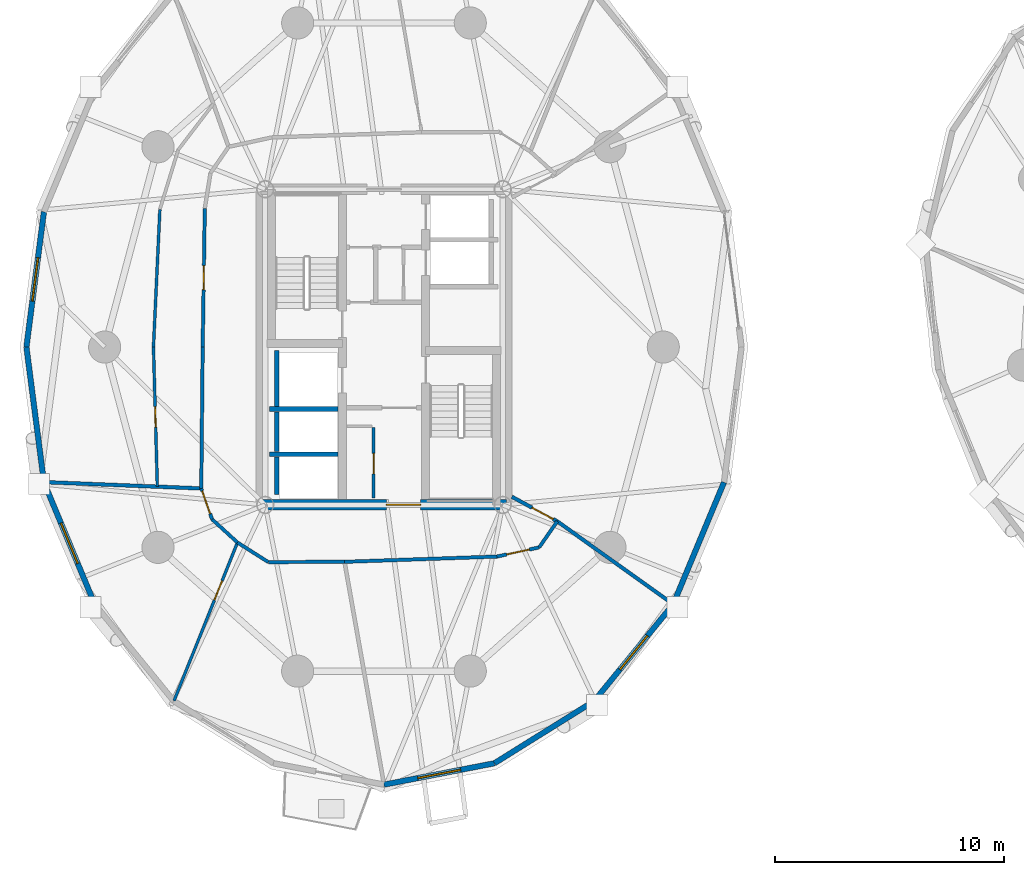
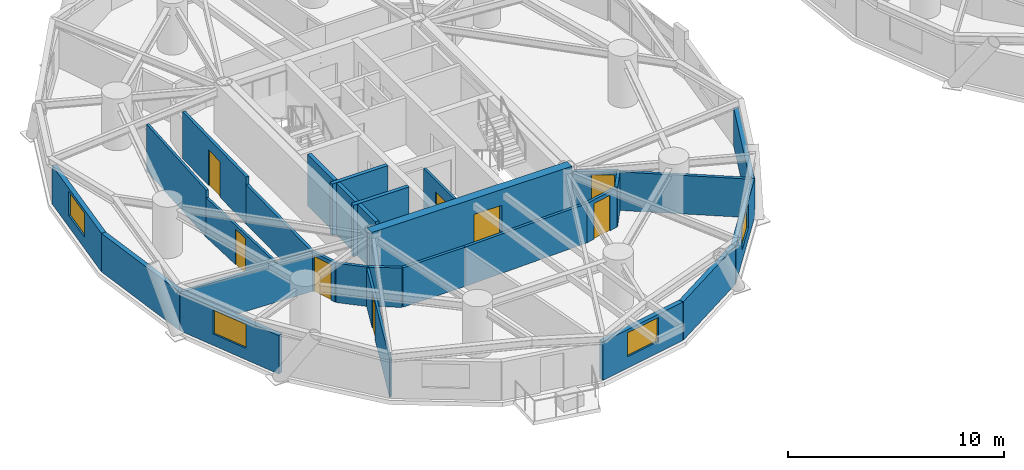
# One storey, part 10 of 18: 29 walls, 8 doors, 4 windows, 12 openings.
"""IFC4 building model written with IfcOpenShell, lengths in metres."""

from ifc_helpers import new_model, si_unit, direction, frame, frame_2d, origin, place, context, subcontext, project, spatial, rectangle, extrude, source, transform, mapped, material, layer, layer_set, type_object, element, fill, save


model = new_model("IFC4")

# Units and contexts
model_context = context("Model", 3, precision=1e-05, world=origin(), true_north=direction((0.0, 1.0)))
body_context = subcontext(model_context, "Body", "Model", "MODEL_VIEW")
ifc_project = project(units=[si_unit("LENGTHUNIT", "METRE"), si_unit("AREAUNIT", "SQUARE_METRE"), si_unit("VOLUMEUNIT", "CUBIC_METRE"), si_unit("PLANEANGLEUNIT", "RADIAN"), si_unit("MASSUNIT", "GRAM", prefix="KILO")], contexts=[model_context])

# Site, building, storey
site_placement = place(None, origin())
site = spatial("IfcSite", under=ifc_project, at=site_placement, CompositionType="ELEMENT")
building_placement = place(site_placement, origin())
building = spatial("IfcBuilding", under=site, at=building_placement, Name="Cununo Teusaquillo Station Towers", CompositionType="ELEMENT")
storey_placement = place(building_placement, frame((0.0, 0.0, 119.6201171875)))
storey = spatial("IfcBuildingStorey", under=building, at=storey_placement, Name="L38", CompositionType="ELEMENT", Elevation=119.6201171875)

# Walls
ifc_material_1 = material(Name="Concrete C50/60", Category="concrete")
ifc_layer_1 = layer(ifc_material_1, 0.199951171875)
ifc_layer_set_1 = layer_set([ifc_layer_1], Name="Concrete C50/60")
wall_type_1 = type_object("IfcWallType", Name="WL-CORE-200", PredefinedType="SHEAR", material=ifc_layer_set_1)
wall_1_placement = place(storey_placement, frame((11.52001953125, 21.800048828125, 0.0), z_axis=(0.0, 0.0, 1.0), x_axis=(1.0, 0.0, 0.0)))
element("IfcWall", 1, at=wall_1_placement, inside=storey, type_object=wall_type_1, Name="L38 Tower A Firefighting Lift Shaft South Shear Wall", PredefinedType="SHEAR", context=body_context, shape_type="SweptSolid", body=[
    extrude(rectangle(XDim=2.969970703125, YDim=0.199951171875, at=frame_2d((1.48486328125, 0.0))), origin(), (0.0, 0.0, 1.0), 2.909912109375),
])
wall_2_placement = place(storey_placement, frame((11.820068359375, 21.919921875, 0.0), z_axis=(0.0, 0.0, 1.0), x_axis=(0.0, 1.0, 0.0)))
element("IfcWall", 2, at=wall_2_placement, inside=storey, type_object=wall_type_1, Name="L38 Tower A Firefighting Lift Shaft Rear Shear Wall", PredefinedType="SHEAR", context=body_context, shape_type="SweptSolid", body=[
    extrude(rectangle(XDim=2.440185546875, YDim=0.199951171875, at=frame_2d((1.22021484375, 0.0))), origin(), (0.0, 0.0, 1.0), 2.909912109375),
])
wall_3_placement = place(storey_placement, frame((11.52001953125, 19.824951171875, 0.0), z_axis=(0.0, 0.0, 1.0), x_axis=(1.0, 0.0, 0.0)))
element("IfcWall", 3, at=wall_3_placement, inside=storey, type_object=wall_type_1, Name="L38 Tower A High-Rise Lift Hoistway Divider Shear Wall", PredefinedType="SHEAR", context=body_context, shape_type="SweptSolid", body=[
    extrude(rectangle(XDim=2.969970703125, YDim=0.199951171875, at=frame_2d((1.48486328125, 0.0))), origin(), (0.0, 0.0, 1.0), 2.909912109375),
])
wall_4_placement = place(storey_placement, frame((11.820068359375, 19.945068359375, 0.0), z_axis=(0.0, 0.0, 1.0), x_axis=(0.0, 1.0, 0.0)))
element("IfcWall", 4, at=wall_4_placement, inside=storey, type_object=wall_type_1, Name="L38 Tower A High-Rise Lift 2 Shaft Rear Shear Wall", PredefinedType="SHEAR", context=body_context, shape_type="SweptSolid", body=[
    extrude(rectangle(XDim=1.73486328125, YDim=0.199951171875, at=frame_2d((0.867431640625, 0.0))), origin(), (0.0, 0.0, 1.0), 2.909912109375),
])
wall_5_placement = place(storey_placement, frame((11.820068359375, 18.070068359375, 0.0), z_axis=(0.0, 0.0, 1.0), x_axis=(0.0, 1.0, 0.0)))
element("IfcWall", 5, at=wall_5_placement, inside=storey, type_object=wall_type_1, Name="L38 Tower A High-Rise Lift 1 Shaft Rear Shear Wall", PredefinedType="SHEAR", context=body_context, shape_type="SweptSolid", body=[
    extrude(rectangle(XDim=1.635009765625, YDim=0.199951171875, at=frame_2d((0.8173828125, 0.0))), origin(), (0.0, 0.0, 1.0), 2.909912109375),
])

# Wall, opening, door
ifc_material_2 = material(Name="Concrete C60/75", Category="concrete")
ifc_layer_2 = layer(ifc_material_2, 0.449951171875)
ifc_layer_set_2 = layer_set([ifc_layer_2], Name="Concrete C60/75")
wall_type_2 = type_object("IfcWallType", Name="WL-CORE-450", PredefinedType="SHEAR", material=ifc_layer_set_2)
wall_6_placement = place(storey_placement, frame((11.14990234375, 17.625, 0.0), z_axis=(0.0, 0.0, 1.0), x_axis=(1.0, 0.0, 0.0)))
wall_6 = element("IfcWall", 6, at=wall_6_placement, inside=storey, type_object=wall_type_2, Name="L38 Tower A Core Shear Wall S", PredefinedType="SHEAR", context=body_context, shape_type="SweptSolid", body=[
    extrude(rectangle(XDim=10.7001953125, YDim=0.449951171875, at=frame_2d((5.35009765625, 0.0))), origin(), (0.0, 0.0, 1.0), 2.909912109375),
])
shared_shape_1 = source(origin(), body_context, "Body", "SweptSolid", [
    extrude(rectangle(XDim=1.5, YDim=2.02001953125, at=frame_2d((0.75, 1.010009765625))), frame((0.0, 0.23486328125, 0.0), z_axis=(0.0, -1.0, 0.0), x_axis=(1.0, 0.0, 0.0)), (0.0, 0.0, 1.0), 0.469970703125),
])
opening_1_placement = place(wall_6_placement, frame((5.449951171875, 0.0, 0.0)))
opening_1 = element("IfcOpeningElement", 7, at=opening_1_placement, cuts=wall_6, Name="Opening D-LB1", PredefinedType="OPENING", context=body_context, shape_type="MappedRepresentation", body=[
    mapped(shared_shape_1, transform((0.0, 0.0, 0.0), x_axis=(1.0, 0.0, 0.0), y_axis=(0.0, 1.0, 0.0), z_axis=(0.0, 0.0, 1.0), scale=1.0)),
])
ifc_material_3 = material(Name="Galvanised fire-rated hollow steel door assembly", Category="steel")
door_type_1 = type_object("IfcDoorType", Name="DR-LOBBY-1500", OperationType="DOUBLE_DOOR_SINGLE_SWING", PredefinedType="DOOR", material=ifc_material_3)
shared_shape_2 = source(origin(), body_context, "Body", "SweptSolid", [
    extrude(rectangle(XDim=1.5, YDim=2.02001953125, at=frame_2d((0.75, 1.010009765625))), frame((0.0, 0.02490234375, 0.0), z_axis=(0.0, -1.0, 0.0), x_axis=(1.0, 0.0, 0.0)), (0.0, 0.0, 1.0), 0.050048828125),
])
door_1_placement = place(opening_1_placement, origin())
door_1 = element("IfcDoor", 8, at=door_1_placement, inside=storey, type_object=door_type_1, Name="L38 Tower A South Core Lift Lobby Door", OperationType="DOUBLE_DOOR_SINGLE_SWING", OverallHeight=2.02001953125, OverallWidth=1.5, PredefinedType="DOOR", context=body_context, shape_type="MappedRepresentation", body=[
    mapped(shared_shape_2, transform((0.0, 0.0, 0.0), x_axis=(1.0, 0.0, 0.0), y_axis=(0.0, 1.0, 0.0), z_axis=(0.0, 0.0, 1.0), scale=1.0)),
])
fill(opening_1, door_1)

# Wall, opening, window
ifc_material_4 = material(Name="Precast concrete C40/50", Category="concrete")
ifc_layer_3 = layer(ifc_material_4, 0.239990234375)
ifc_layer_set_3 = layer_set([ifc_layer_3], Name="Precast concrete C40/50")
wall_type_3 = type_object("IfcWallType", Name="WL-EXT-240", PredefinedType="SOLIDWALL", material=ifc_layer_set_3)
wall_7_placement = place(storey_placement, frame((0.9189453125, 24.5, 0.0), z_axis=(0.0, 0.0, 1.0), x_axis=(0.128351991996, 0.991728675672, 0.0)))
wall_7 = element("IfcWall", 9, at=wall_7_placement, inside=storey, type_object=wall_type_3, Name="L38 Tower A Exterior Facade Wall C09", PredefinedType="SOLIDWALL", context=body_context, shape_type="SweptSolid", body=[
    extrude(rectangle(XDim=5.942138671875, YDim=0.239990234375, at=frame_2d((2.97119140625, 0.0))), origin(), (0.0, 0.0, 1.0), 2.178955078125),
])
shared_shape_3 = source(origin(), body_context, "Body", "SweptSolid", [
    extrude(rectangle(XDim=1.89990234375, YDim=1.35009765625, at=frame_2d((0.949951171875, 0.675048828125))), frame((0.0, 0.1298828125, 0.0), z_axis=(0.0, -1.0, 0.0), x_axis=(1.0, 0.0, 0.0)), (0.0, 0.0, 1.0), 0.260009765625),
])
opening_2_placement = place(wall_7_placement, frame((2.02099609375, 0.0, 0.64990234375)))
opening_2 = element("IfcOpeningElement", 10, at=opening_2_placement, cuts=wall_7, Name="Opening WN-02", PredefinedType="OPENING", context=body_context, shape_type="MappedRepresentation", body=[
    mapped(shared_shape_3, transform((0.0, 0.0, 0.0), x_axis=(1.0, 0.0, 0.0), y_axis=(0.0, 1.0, 0.0), z_axis=(0.0, 0.0, 1.0), scale=1.0)),
])
ifc_material_5 = material(Name="Operable acoustic tinted low-E double glazing", Category="glass")
window_type = type_object("IfcWindowType", Name="WIN-OPER-1900", PartitioningType="DOUBLE_PANEL_VERTICAL", PredefinedType="WINDOW", material=ifc_material_5)
shared_shape_4 = source(origin(), body_context, "Body", "SweptSolid", [
    extrude(rectangle(XDim=1.89990234375, YDim=1.35009765625, at=frame_2d((0.949951171875, 0.675048828125))), frame((0.0, 0.030029296875, 0.0), z_axis=(0.0, -1.0, 0.0), x_axis=(1.0, 0.0, 0.0)), (0.0, 0.0, 1.0), 0.06005859375),
])
window_1_placement = place(opening_2_placement, origin())
window_1 = element("IfcWindow", 11, at=window_1_placement, inside=storey, type_object=window_type, Name="L38 Tower A Facade Window C09", OverallHeight=1.35009765625, OverallWidth=1.89990234375, PartitioningType="DOUBLE_PANEL_VERTICAL", PredefinedType="WINDOW", context=body_context, shape_type="MappedRepresentation", body=[
    mapped(shared_shape_4, transform((0.0, 0.0, 0.0), x_axis=(1.0, 0.0, 0.0), y_axis=(0.0, 1.0, 0.0), z_axis=(0.0, 0.0, 1.0), scale=1.0)),
])
fill(opening_2, window_1)

# Wall
wall_8_placement = place(storey_placement, frame((1.681640625, 18.60693359375, 0.0), z_axis=(0.0, 0.0, 1.0), x_axis=(-0.128351991996, 0.991728675672, 0.0)))
element("IfcWall", 12, at=wall_8_placement, inside=storey, type_object=wall_type_3, Name="L38 Tower A Exterior Facade Wall C10", PredefinedType="SOLIDWALL", context=body_context, shape_type="SweptSolid", body=[
    extrude(rectangle(XDim=5.942138671875, YDim=0.239990234375, at=frame_2d((2.97119140625, 0.0))), origin(), (0.0, 0.0, 1.0), 2.178955078125),
])

# Wall, opening, window
wall_9_placement = place(storey_placement, frame((3.894775390625, 13.291015625, 0.0), z_axis=(0.0, 0.0, 1.0), x_axis=(-0.384344417632, 0.923189779317, 0.0)))
wall_9 = element("IfcWall", 13, at=wall_9_placement, inside=storey, type_object=wall_type_3, Name="L38 Tower A Exterior Facade Wall C11", PredefinedType="SOLIDWALL", context=body_context, shape_type="SweptSolid", body=[
    extrude(rectangle(XDim=5.75830078125, YDim=0.239990234375, at=frame_2d((2.879150390625, 0.0))), origin(), (0.0, 0.0, 1.0), 2.178955078125),
])
opening_3_placement = place(wall_9_placement, frame((1.928955078125, 0.0, 0.64990234375)))
opening_3 = element("IfcOpeningElement", 14, at=opening_3_placement, cuts=wall_9, Name="Opening WN-02", PredefinedType="OPENING", context=body_context, shape_type="MappedRepresentation", body=[
    mapped(shared_shape_3, transform((0.0, 0.0, 0.0), x_axis=(1.0, 0.0, 0.0), y_axis=(0.0, 1.0, 0.0), z_axis=(0.0, 0.0, 1.0), scale=1.0)),
])
window_2_placement = place(opening_3_placement, origin())
window_2 = element("IfcWindow", 15, at=window_2_placement, inside=storey, type_object=window_type, Name="L38 Tower A Facade Window C11", OverallHeight=1.35009765625, OverallWidth=1.89990234375, PartitioningType="DOUBLE_PANEL_VERTICAL", PredefinedType="WINDOW", context=body_context, shape_type="MappedRepresentation", body=[
    mapped(shared_shape_4, transform((0.0, 0.0, 0.0), x_axis=(1.0, 0.0, 0.0), y_axis=(0.0, 1.0, 0.0), z_axis=(0.0, 0.0, 1.0), scale=1.0)),
])
fill(opening_3, window_2)

wall_10_placement = place(storey_placement, frame((21.314697265625, 6.36328125, 0.0), z_axis=(0.0, 0.0, 1.0), x_axis=(-0.981723785992, -0.190311344954, 0.0)))
wall_10 = element("IfcWall", 16, at=wall_10_placement, inside=storey, type_object=wall_type_3, Name="L38 Tower A Exterior Facade Wall C15", PredefinedType="SOLIDWALL", context=body_context, shape_type="SweptSolid", body=[
    extrude(rectangle(XDim=4.904296875, YDim=0.239990234375, at=frame_2d((2.4521484375, 0.0))), origin(), (0.0, 0.0, 1.0), 2.178955078125),
])
opening_4_placement = place(wall_10_placement, frame((1.501953125, 0.0, 0.64990234375)))
opening_4 = element("IfcOpeningElement", 17, at=opening_4_placement, cuts=wall_10, Name="Opening WN-02", PredefinedType="OPENING", context=body_context, shape_type="MappedRepresentation", body=[
    mapped(shared_shape_3, transform((0.0, 0.0, 0.0), x_axis=(1.0, 0.0, 0.0), y_axis=(0.0, 1.0, 0.0), z_axis=(0.0, 0.0, 1.0), scale=1.0)),
])
window_3_placement = place(opening_4_placement, origin())
window_3 = element("IfcWindow", 18, at=window_3_placement, inside=storey, type_object=window_type, Name="L38 Tower A Facade Window C15", OverallHeight=1.35009765625, OverallWidth=1.89990234375, PartitioningType="DOUBLE_PANEL_VERTICAL", PredefinedType="WINDOW", context=body_context, shape_type="MappedRepresentation", body=[
    mapped(shared_shape_4, transform((0.0, 0.0, 0.0), x_axis=(1.0, 0.0, 0.0), y_axis=(0.0, 1.0, 0.0), z_axis=(0.0, 0.0, 1.0), scale=1.0)),
])
fill(opening_4, window_3)

# Wall
wall_11_placement = place(storey_placement, frame((25.658203125, 9.072021484375, 0.0), z_axis=(0.0, 0.0, 1.0), x_axis=(-0.848520380187, -0.529162701263, 0.0)))
element("IfcWall", 19, at=wall_11_placement, inside=storey, type_object=wall_type_3, Name="L38 Tower A Exterior Facade Wall C16", PredefinedType="SOLIDWALL", context=body_context, shape_type="SweptSolid", body=[
    extrude(rectangle(XDim=5.118896484375, YDim=0.239990234375, at=frame_2d((2.5595703125, 0.0))), origin(), (0.0, 0.0, 1.0), 2.178955078125),
])

# Wall, opening, window
wall_12_placement = place(storey_placement, frame((29.105224609375, 13.291015625, 0.0), z_axis=(0.0, 0.0, 1.0), x_axis=(-0.632700781152, -0.77439635945, 0.0)))
wall_12 = element("IfcWall", 20, at=wall_12_placement, inside=storey, type_object=wall_type_3, Name="L38 Tower A Exterior Facade Wall C17", PredefinedType="SOLIDWALL", context=body_context, shape_type="SweptSolid", body=[
    extrude(rectangle(XDim=5.447998046875, YDim=0.239990234375, at=frame_2d((2.72412109375, 0.0))), origin(), (0.0, 0.0, 1.0), 2.178955078125),
])
opening_5_placement = place(wall_12_placement, frame((1.77392578125, 0.0, 0.64990234375)))
opening_5 = element("IfcOpeningElement", 21, at=opening_5_placement, cuts=wall_12, Name="Opening WN-02", PredefinedType="OPENING", context=body_context, shape_type="MappedRepresentation", body=[
    mapped(shared_shape_3, transform((0.0, 0.0, 0.0), x_axis=(1.0, 0.0, 0.0), y_axis=(0.0, 1.0, 0.0), z_axis=(0.0, 0.0, 1.0), scale=1.0)),
])
window_4_placement = place(opening_5_placement, origin())
window_4 = element("IfcWindow", 22, at=window_4_placement, inside=storey, type_object=window_type, Name="L38 Tower A Facade Window C17", OverallHeight=1.35009765625, OverallWidth=1.89990234375, PartitioningType="DOUBLE_PANEL_VERTICAL", PredefinedType="WINDOW", context=body_context, shape_type="MappedRepresentation", body=[
    mapped(shared_shape_4, transform((0.0, 0.0, 0.0), x_axis=(1.0, 0.0, 0.0), y_axis=(0.0, 1.0, 0.0), z_axis=(0.0, 0.0, 1.0), scale=1.0)),
])
fill(opening_5, window_4)

# Wall
wall_13_placement = place(storey_placement, frame((31.318359375, 18.60693359375, 0.0), z_axis=(0.0, 0.0, 1.0), x_axis=(-0.384344417632, -0.923189779317, 0.0)))
element("IfcWall", 23, at=wall_13_placement, inside=storey, type_object=wall_type_3, Name="L38 Tower A Exterior Facade Wall C18", PredefinedType="SOLIDWALL", context=body_context, shape_type="SweptSolid", body=[
    extrude(rectangle(XDim=5.75830078125, YDim=0.239990234375, at=frame_2d((2.879150390625, 0.0))), origin(), (0.0, 0.0, 1.0), 2.178955078125),
])

# Wall, opening, door
ifc_material_6 = material(Name="Fire-rated gypsum plasterboard partition assembly", Category="gypsum")
ifc_layer_4 = layer(ifc_material_6, 0.125)
ifc_layer_set_4 = layer_set([ifc_layer_4], Name="Fire-rated gypsum plasterboard partition assembly")
wall_type_4 = type_object("IfcWallType", Name="WL-PART-125", PredefinedType="PARTITIONING", material=ifc_layer_set_4)
wall_14_placement = place(storey_placement, frame((16.050048828125, 17.919921875, 0.0), z_axis=(0.0, 0.0, 1.0), x_axis=(0.0, 1.0, 0.0)))
wall_14 = element("IfcWall", 24, at=wall_14_placement, inside=storey, type_object=wall_type_4, Name="L38 Tower A South-West Tall Store East Wall", PredefinedType="PARTITIONING", context=body_context, shape_type="SweptSolid", body=[
    extrude(rectangle(XDim=3.080078125, YDim=0.125, at=frame_2d((1.5400390625, 0.0))), origin(), (0.0, 0.0, 1.0), 2.65478515625),
])
shared_shape_5 = source(origin(), body_context, "Body", "SweptSolid", [
    extrude(rectangle(XDim=0.89990234375, YDim=2.0048828125, at=frame_2d((0.449951171875, 1.00244140625))), frame((0.0, 0.072509765625, 0.0), z_axis=(0.0, -1.0, 0.0), x_axis=(1.0, 0.0, 0.0)), (0.0, 0.0, 1.0), 0.14501953125),
])
opening_6_placement = place(wall_14_placement, frame((1.050048828125, 0.0, 0.0)))
opening_6 = element("IfcOpeningElement", 25, at=opening_6_placement, cuts=wall_14, Name="Opening D-SR1", PredefinedType="OPENING", context=body_context, shape_type="MappedRepresentation", body=[
    mapped(shared_shape_5, transform((0.0, 0.0, 0.0), x_axis=(1.0, 0.0, 0.0), y_axis=(0.0, 1.0, 0.0), z_axis=(0.0, 0.0, 1.0), scale=1.0)),
])
ifc_material_7 = material(Name="Galvanised fire-rated hollow steel door assembly", Category="steel")
door_type_2 = type_object("IfcDoorType", Name="DR-STORE-900", OperationType="NOTDEFINED", PredefinedType="DOOR", material=ifc_material_7)
shared_shape_6 = source(origin(), body_context, "Body", "SweptSolid", [
    extrude(rectangle(XDim=0.89990234375, YDim=2.0048828125, at=frame_2d((0.449951171875, 1.00244140625))), frame((0.0, 0.02490234375, 0.0), z_axis=(0.0, -1.0, 0.0), x_axis=(1.0, 0.0, 0.0)), (0.0, 0.0, 1.0), 0.050048828125),
])
door_2_placement = place(opening_6_placement, origin())
door_2 = element("IfcDoor", 26, at=door_2_placement, inside=storey, type_object=door_type_2, Name="L38 Tower A South Cleaners Store Door", OperationType="SINGLE_SWING_RIGHT", OverallHeight=2.0048828125, OverallWidth=0.89990234375, PredefinedType="DOOR", context=body_context, shape_type="MappedRepresentation", body=[
    mapped(shared_shape_6, transform((0.0, 0.0, 0.0), x_axis=(1.0, 0.0, 0.0), y_axis=(0.0, 1.0, 0.0), z_axis=(0.0, 0.0, 1.0), scale=1.0)),
])
fill(opening_6, door_2)

# Wall
wall_15_placement = place(storey_placement, frame((6.73486328125, 30.5, 0.0), z_axis=(0.0, 0.0, 1.0), x_axis=(-0.046620801603, -0.998912659274, 0.0)))
element("IfcWall", 27, at=wall_15_placement, inside=storey, type_object=wall_type_4, Name="L38 Tower A Corporate Strategy Boardroom Concentric Partition Wall C09", PredefinedType="PARTITIONING", context=body_context, shape_type="SweptSolid", body=[
    extrude(rectangle(XDim=6.006591796875, YDim=0.125, at=frame_2d((3.00341796875, 0.0))), origin(), (0.0, 0.0, 1.0), 2.65478515625),
])

# Wall, opening, door
wall_16_placement = place(storey_placement, frame((6.454833984375, 24.5, 0.0), z_axis=(0.0, 0.0, 1.0), x_axis=(0.027753708707, -0.999614791634, 0.0)))
wall_16 = element("IfcWall", 28, at=wall_16_placement, inside=storey, type_object=wall_type_4, Name="L38 Tower A Corporate Strategy Boardroom Concentric Partition Wall C10", PredefinedType="PARTITIONING", context=body_context, shape_type="SweptSolid", body=[
    extrude(rectangle(XDim=6.08740234375, YDim=0.125, at=frame_2d((3.043701171875, 0.0))), origin(), (0.0, 0.0, 1.0), 2.224853515625),
])
opening_7_placement = place(wall_16_placement, frame((2.593505859375, 0.0, 0.0)))
opening_7 = element("IfcOpeningElement", 29, at=opening_7_placement, cuts=wall_16, Name="Opening D-IN1", PredefinedType="OPENING", context=body_context, shape_type="MappedRepresentation", body=[
    mapped(shared_shape_5, transform((0.0, 0.0, 0.0), x_axis=(1.0, 0.0, 0.0), y_axis=(0.0, 1.0, 0.0), z_axis=(0.0, 0.0, 1.0), scale=1.0)),
])
ifc_material_8 = material(Name="Acoustic solid-core hardwood leaf assembly", Category="wood")
door_type_3 = type_object("IfcDoorType", Name="DR-INT-900", OperationType="NOTDEFINED", PredefinedType="DOOR", material=ifc_material_8)
door_3_placement = place(opening_7_placement, origin())
door_3 = element("IfcDoor", 30, at=door_3_placement, inside=storey, type_object=door_type_3, Name="L38 Tower A Corporate Strategy Boardroom Connecting Door", OperationType="SINGLE_SWING_RIGHT", OverallHeight=2.0048828125, OverallWidth=0.89990234375, PredefinedType="DOOR", context=body_context, shape_type="MappedRepresentation", body=[
    mapped(shared_shape_6, transform((0.0, 0.0, 0.0), x_axis=(1.0, 0.0, 0.0), y_axis=(0.0, 1.0, 0.0), z_axis=(0.0, 0.0, 1.0), scale=1.0)),
])
fill(opening_7, door_3)

wall_17_placement = place(storey_placement, frame((10.115478515625, 15.98291015625, 0.0), z_axis=(0.0, 0.0, 1.0), x_axis=(-0.371861013147, -0.928288417951, 0.0)))
wall_17 = element("IfcWall", 31, at=wall_17_placement, inside=storey, type_object=wall_type_4, Name="L38 Tower A Treasury & Corporate Finance Practice Suite Subdividing Wall", PredefinedType="PARTITIONING", context=body_context, shape_type="SweptSolid", body=[
    extrude(rectangle(XDim=7.427490234375, YDim=0.125, at=frame_2d((3.7138671875, 0.0))), origin(), (0.0, 0.0, 1.0), 2.178955078125),
])
opening_8_placement = place(wall_17_placement, frame((1.800048828125, 0.0, 0.0)))
opening_8 = element("IfcOpeningElement", 32, at=opening_8_placement, cuts=wall_17, Name="Opening D-IN1", PredefinedType="OPENING", context=body_context, shape_type="MappedRepresentation", body=[
    mapped(shared_shape_5, transform((0.0, 0.0, 0.0), x_axis=(1.0, 0.0, 0.0), y_axis=(0.0, 1.0, 0.0), z_axis=(0.0, 0.0, 1.0), scale=1.0)),
])
door_4_placement = place(opening_8_placement, origin())
door_4 = element("IfcDoor", 33, at=door_4_placement, inside=storey, type_object=door_type_3, Name="L38 Tower A Treasury & Corporate Finance Practice Suite Connecting Door", OperationType="SINGLE_SWING_RIGHT", OverallHeight=2.0048828125, OverallWidth=0.89990234375, PredefinedType="DOOR", context=body_context, shape_type="MappedRepresentation", body=[
    mapped(shared_shape_6, transform((0.0, 0.0, 0.0), x_axis=(1.0, 0.0, 0.0), y_axis=(0.0, 1.0, 0.0), z_axis=(0.0, 0.0, 1.0), scale=1.0)),
])
fill(opening_8, door_4)

ifc_material_9 = material(Name="Fire-rated gypsum plasterboard partition assembly", Category="gypsum")
ifc_layer_5 = layer(ifc_material_9, 0.14990234375)
ifc_layer_set_5 = layer_set([ifc_layer_5], Name="Fire-rated gypsum plasterboard partition assembly")
wall_type_5 = type_object("IfcWallType", Name="WL-PART-150", PredefinedType="PARTITIONING", material=ifc_layer_set_5)
wall_18_placement = place(storey_placement, frame((8.692626953125, 30.544189453125, 0.0), z_axis=(0.0, 0.0, 1.0), x_axis=(-0.015307007986, -0.99988284089, 0.0)))
wall_18 = element("IfcWall", 34, at=wall_18_placement, inside=storey, type_object=wall_type_5, Name="L38 Tower A Corridor Ring Wall C09", PredefinedType="PARTITIONING", context=body_context, shape_type="SweptSolid", body=[
    extrude(rectangle(XDim=6.044921875, YDim=0.14990234375, at=frame_2d((3.0224609375, 0.0))), origin(), (0.0, 0.0, 1.0), 2.65478515625),
])
shared_shape_7 = source(origin(), body_context, "Body", "SweptSolid", [
    extrude(rectangle(XDim=1.050048828125, YDim=2.014892578125, at=frame_2d((0.52490234375, 1.00732421875))), frame((0.0, 0.0849609375, 0.0), z_axis=(0.0, -1.0, 0.0), x_axis=(1.0, 0.0, 0.0)), (0.0, 0.0, 1.0), 0.169921875),
])
opening_9_placement = place(wall_18_placement, frame((2.497314453125, 0.0, 0.0)))
opening_9 = element("IfcOpeningElement", 35, at=opening_9_placement, cuts=wall_18, Name="Opening D-SU1", PredefinedType="OPENING", context=body_context, shape_type="MappedRepresentation", body=[
    mapped(shared_shape_7, transform((0.0, 0.0, 0.0), x_axis=(1.0, 0.0, 0.0), y_axis=(0.0, 1.0, 0.0), z_axis=(0.0, 0.0, 1.0), scale=1.0)),
])
ifc_material_10 = material(Name="Acoustic solid-core hardwood leaf assembly", Category="wood")
door_type_4 = type_object("IfcDoorType", Name="DR-SUITE-1050", OperationType="NOTDEFINED", PredefinedType="DOOR", material=ifc_material_10)
shared_shape_8 = source(origin(), body_context, "Body", "SweptSolid", [
    extrude(rectangle(XDim=1.050048828125, YDim=2.014892578125, at=frame_2d((0.52490234375, 1.00732421875))), frame((0.0, 0.02490234375, 0.0), z_axis=(0.0, -1.0, 0.0), x_axis=(1.0, 0.0, 0.0)), (0.0, 0.0, 1.0), 0.050048828125),
])
door_5_placement = place(opening_9_placement, origin())
door_5 = element("IfcDoor", 36, at=door_5_placement, inside=storey, type_object=door_type_4, Name="L38 Tower A Corporate Strategy Boardroom Entrance Door", OperationType="SINGLE_SWING_LEFT", OverallHeight=2.014892578125, OverallWidth=1.050048828125, PredefinedType="DOOR", context=body_context, shape_type="MappedRepresentation", body=[
    mapped(shared_shape_8, transform((0.0, 0.0, 0.0), x_axis=(1.0, 0.0, 0.0), y_axis=(0.0, 1.0, 0.0), z_axis=(0.0, 0.0, 1.0), scale=1.0)),
])
fill(opening_9, door_5)

# Wall
wall_19_placement = place(storey_placement, frame((8.60009765625, 24.5, 0.0), z_axis=(0.0, 0.0, 1.0), x_axis=(-0.010023665349, -0.999949761805, 0.0)))
element("IfcWall", 37, at=wall_19_placement, inside=storey, type_object=wall_type_5, Name="L38 Tower A Corridor Ring Wall C10", PredefinedType="PARTITIONING", context=body_context, shape_type="SweptSolid", body=[
    extrude(rectangle(XDim=6.162109375, YDim=0.14990234375, at=frame_2d((3.0810546875, 0.0))), origin(), (0.0, 0.0, 1.0), 2.224853515625),
])

# Wall, opening, door
wall_20_placement = place(storey_placement, frame((8.538330078125, 18.338134765625, 0.0), z_axis=(0.0, 0.0, 1.0), x_axis=(0.331358150167, -0.94350504838, 0.0)))
wall_20 = element("IfcWall", 38, at=wall_20_placement, inside=storey, type_object=wall_type_5, Name="L38 Tower A Corridor Ring Wall C11", PredefinedType="PARTITIONING", context=body_context, shape_type="SweptSolid", body=[
    extrude(rectangle(XDim=1.42431640625, YDim=0.14990234375, at=frame_2d((0.712158203125, 0.0))), origin(), (0.0, 0.0, 1.0), 2.224853515625),
])
opening_10_placement = place(wall_20_placement, frame((0.1201171875, 0.0, 0.0)))
opening_10 = element("IfcOpeningElement", 39, at=opening_10_placement, cuts=wall_20, Name="Opening D-SU1", PredefinedType="OPENING", context=body_context, shape_type="MappedRepresentation", body=[
    mapped(shared_shape_7, transform((0.0, 0.0, 0.0), x_axis=(1.0, 0.0, 0.0), y_axis=(0.0, 1.0, 0.0), z_axis=(0.0, 0.0, 1.0), scale=1.0)),
])
door_6_placement = place(opening_10_placement, origin())
door_6 = element("IfcDoor", 40, at=door_6_placement, inside=storey, type_object=door_type_4, Name="L38 Tower A Treasury & Corporate Finance Practice Entrance Door", OperationType="SINGLE_SWING_LEFT", OverallHeight=2.014892578125, OverallWidth=1.050048828125, PredefinedType="DOOR", context=body_context, shape_type="MappedRepresentation", body=[
    mapped(shared_shape_8, transform((0.0, 0.0, 0.0), x_axis=(1.0, 0.0, 0.0), y_axis=(0.0, 1.0, 0.0), z_axis=(0.0, 0.0, 1.0), scale=1.0)),
])
fill(opening_10, door_6)

# Walls
wall_21_placement = place(storey_placement, frame((9.01025390625, 16.994384765625, 0.0), z_axis=(0.0, 0.0, 1.0), x_axis=(0.737701798986, -0.67512669609, 0.0)))
element("IfcWall", 41, at=wall_21_placement, inside=storey, type_object=wall_type_5, Name="L38 Tower A Corridor Ring Wall C12", PredefinedType="PARTITIONING", context=body_context, shape_type="SweptSolid", body=[
    extrude(rectangle(XDim=1.498291015625, YDim=0.14990234375, at=frame_2d((0.7490234375, 0.0))), origin(), (0.0, 0.0, 1.0), 2.224853515625),
])
wall_22_placement = place(storey_placement, frame((10.115478515625, 15.98291015625, 0.0), z_axis=(0.0, 0.0, 1.0), x_axis=(0.843995849351, -0.536349705209, 0.0)))
element("IfcWall", 42, at=wall_22_placement, inside=storey, type_object=wall_type_5, Name="L38 Tower A Corridor Ring Wall C13", PredefinedType="PARTITIONING", context=body_context, shape_type="SweptSolid", body=[
    extrude(rectangle(XDim=1.5927734375, YDim=0.14990234375, at=frame_2d((0.79638671875, 0.0))), origin(), (0.0, 0.0, 1.0), 2.224853515625),
])
wall_23_placement = place(storey_placement, frame((11.459716796875, 15.128662109375, 0.0), z_axis=(0.0, 0.0, 1.0), x_axis=(0.999993513287, 0.003601858435, 0.0)))
element("IfcWall", 43, at=wall_23_placement, inside=storey, type_object=wall_type_5, Name="L38 Tower A Corridor Ring Wall C14", PredefinedType="PARTITIONING", context=body_context, shape_type="SweptSolid", body=[
    extrude(rectangle(XDim=3.3212890625, YDim=0.14990234375, at=frame_2d((1.66064453125, 0.0))), origin(), (0.0, 0.0, 1.0), 2.224853515625),
])
wall_24_placement = place(storey_placement, frame((14.781005859375, 15.140625, 0.0), z_axis=(0.0, 0.0, 1.0), x_axis=(0.999407918707, 0.034406569513, 0.0)))
element("IfcWall", 44, at=wall_24_placement, inside=storey, type_object=wall_type_5, Name="L38 Tower A Corridor Ring Wall C15", PredefinedType="PARTITIONING", context=body_context, shape_type="SweptSolid", body=[
    extrude(rectangle(XDim=6.6416015625, YDim=0.14990234375, at=frame_2d((3.32080078125, 0.0))), origin(), (0.0, 0.0, 1.0), 2.224853515625),
])

# Wall, opening, door
wall_25_placement = place(storey_placement, frame((21.418701171875, 15.369140625, 0.0), z_axis=(0.0, 0.0, 1.0), x_axis=(0.977192701953, 0.212354475464, 0.0)))
wall_25 = element("IfcWall", 45, at=wall_25_placement, inside=storey, type_object=wall_type_5, Name="L38 Tower A Corridor Ring Wall C16", PredefinedType="PARTITIONING", context=body_context, shape_type="SweptSolid", body=[
    extrude(rectangle(XDim=1.8876953125, YDim=0.14990234375, at=frame_2d((0.94384765625, 0.0))), origin(), (0.0, 0.0, 1.0), 2.224853515625),
])
shared_shape_9 = source(origin(), body_context, "Body", "SweptSolid", [
    extrude(rectangle(XDim=1.0, YDim=2.014892578125, at=frame_2d((0.5, 1.00732421875))), frame((0.0, 0.0849609375, 0.0), z_axis=(0.0, -1.0, 0.0), x_axis=(1.0, 0.0, 0.0)), (0.0, 0.0, 1.0), 0.169921875),
])
opening_11_placement = place(wall_25_placement, frame((0.44384765625, 0.0, 0.0)))
opening_11 = element("IfcOpeningElement", 46, at=opening_11_placement, cuts=wall_25, Name="Opening D-AC1", PredefinedType="OPENING", context=body_context, shape_type="MappedRepresentation", body=[
    mapped(shared_shape_9, transform((0.0, 0.0, 0.0), x_axis=(1.0, 0.0, 0.0), y_axis=(0.0, 1.0, 0.0), z_axis=(0.0, 0.0, 1.0), scale=1.0)),
])
ifc_material_11 = material(Name="Acoustic solid-core hardwood leaf assembly", Category="wood")
door_type_5 = type_object("IfcDoorType", Name="DR-ACC-1000", OperationType="NOTDEFINED", PredefinedType="DOOR", material=ifc_material_11)
shared_shape_10 = source(origin(), body_context, "Body", "SweptSolid", [
    extrude(rectangle(XDim=1.0, YDim=2.014892578125, at=frame_2d((0.5, 1.00732421875))), frame((0.0, 0.02490234375, 0.0), z_axis=(0.0, -1.0, 0.0), x_axis=(1.0, 0.0, 0.0)), (0.0, 0.0, 1.0), 0.050048828125),
])
door_7_placement = place(opening_11_placement, origin())
door_7 = element("IfcDoor", 47, at=door_7_placement, inside=storey, type_object=door_type_5, Name="L38 Tower A Public Accessible Restroom WC Entrance Door", OperationType="SINGLE_SWING_LEFT", OverallHeight=2.014892578125, OverallWidth=1.0, PredefinedType="DOOR", context=body_context, shape_type="MappedRepresentation", body=[
    mapped(shared_shape_10, transform((0.0, 0.0, 0.0), x_axis=(1.0, 0.0, 0.0), y_axis=(0.0, 1.0, 0.0), z_axis=(0.0, 0.0, 1.0), scale=1.0)),
])
fill(opening_11, door_7)

# Walls
wall_26_placement = place(storey_placement, frame((23.263427734375, 15.77001953125, 0.0), z_axis=(0.0, 0.0, 1.0), x_axis=(0.570743456919, 0.821128434768, 0.0)))
element("IfcWall", 48, at=wall_26_placement, inside=storey, type_object=wall_type_5, Name="L38 Tower A Corridor Ring Wall C17", PredefinedType="PARTITIONING", context=body_context, shape_type="SweptSolid", body=[
    extrude(rectangle(XDim=1.381591796875, YDim=0.14990234375, at=frame_2d((0.69091796875, 0.0))), origin(), (0.0, 0.0, 1.0), 2.224853515625),
])
ifc_material_12 = material(Name="Fire-rated gypsum plasterboard partition assembly", Category="gypsum")
ifc_layer_6 = layer(ifc_material_12, 0.159912109375)
ifc_layer_set_6 = layer_set([ifc_layer_6], Name="Fire-rated gypsum plasterboard partition assembly")
wall_type_6 = type_object("IfcWallType", Name="WL-PART-160", PredefinedType="PARTITIONING", material=ifc_layer_set_6)
wall_27_placement = place(storey_placement, frame((8.538330078125, 18.338134765625, 0.0), z_axis=(0.0, 0.0, 1.0), x_axis=(-0.999191355531, 0.04020740021, 0.0)))
element("IfcWall", 49, at=wall_27_placement, inside=storey, type_object=wall_type_6, Name="L38 Tower A Radial Suite Partition R04", PredefinedType="PARTITIONING", context=body_context, shape_type="SweptSolid", body=[
    extrude(rectangle(XDim=6.84326171875, YDim=0.159912109375, at=frame_2d((3.421630859375, 0.0))), origin(), (0.0, 0.0, 1.0), 2.178955078125),
])
wall_28_placement = place(storey_placement, frame((24.052001953125, 16.904541015625, 0.0), z_axis=(0.0, 0.0, 1.0), x_axis=(0.813437670746, -0.581652091727, 0.0)))
element("IfcWall", 50, at=wall_28_placement, inside=storey, type_object=wall_type_6, Name="L38 Tower A Radial Suite Partition R06", PredefinedType="PARTITIONING", context=body_context, shape_type="SweptSolid", body=[
    extrude(rectangle(XDim=6.1923828125, YDim=0.159912109375, at=frame_2d((3.09619140625, 0.0))), origin(), (0.0, 0.0, 1.0), 2.178955078125),
])

# Wall, opening, door
wall_29_placement = place(storey_placement, frame((22.074951171875, 17.97509765625, 0.0), z_axis=(0.0, 0.0, 1.0), x_axis=(0.879356383302, -0.476164206073, 0.0)))
wall_29 = element("IfcWall", 51, at=wall_29_placement, inside=storey, type_object=wall_type_6, Name="L38 Tower A East Salon Corridor Portal Wall SE", PredefinedType="PARTITIONING", context=body_context, shape_type="SweptSolid", body=[
    extrude(rectangle(XDim=2.248291015625, YDim=0.159912109375, at=frame_2d((1.1240234375, 0.0))), origin(), (0.0, 0.0, 1.0), 2.224853515625),
])
shared_shape_11 = source(origin(), body_context, "Body", "SweptSolid", [
    extrude(rectangle(XDim=1.050048828125, YDim=2.014892578125, at=frame_2d((0.52490234375, 1.00732421875))), frame((0.0, 0.08984375, 0.0), z_axis=(0.0, -1.0, 0.0), x_axis=(1.0, 0.0, 0.0)), (0.0, 0.0, 1.0), 0.179931640625),
])
opening_12_placement = place(wall_29_placement, frame((0.998291015625, 0.0, 0.0)))
opening_12 = element("IfcOpeningElement", 52, at=opening_12_placement, cuts=wall_29, Name="Opening D-SU1", PredefinedType="OPENING", context=body_context, shape_type="MappedRepresentation", body=[
    mapped(shared_shape_11, transform((0.0, 0.0, 0.0), x_axis=(1.0, 0.0, 0.0), y_axis=(0.0, 1.0, 0.0), z_axis=(0.0, 0.0, 1.0), scale=1.0)),
])
door_8_placement = place(opening_12_placement, origin())
door_8 = element("IfcDoor", 53, at=door_8_placement, inside=storey, type_object=door_type_4, Name="L38 Tower A East Panorama Sky Salon Door SE", OperationType="SINGLE_SWING_RIGHT", OverallHeight=2.014892578125, OverallWidth=1.050048828125, PredefinedType="DOOR", context=body_context, shape_type="MappedRepresentation", body=[
    mapped(shared_shape_8, transform((0.0, 0.0, 0.0), x_axis=(1.0, 0.0, 0.0), y_axis=(0.0, 1.0, 0.0), z_axis=(0.0, 0.0, 1.0), scale=1.0)),
])
fill(opening_12, door_8)

save(model, "model.ifc")
